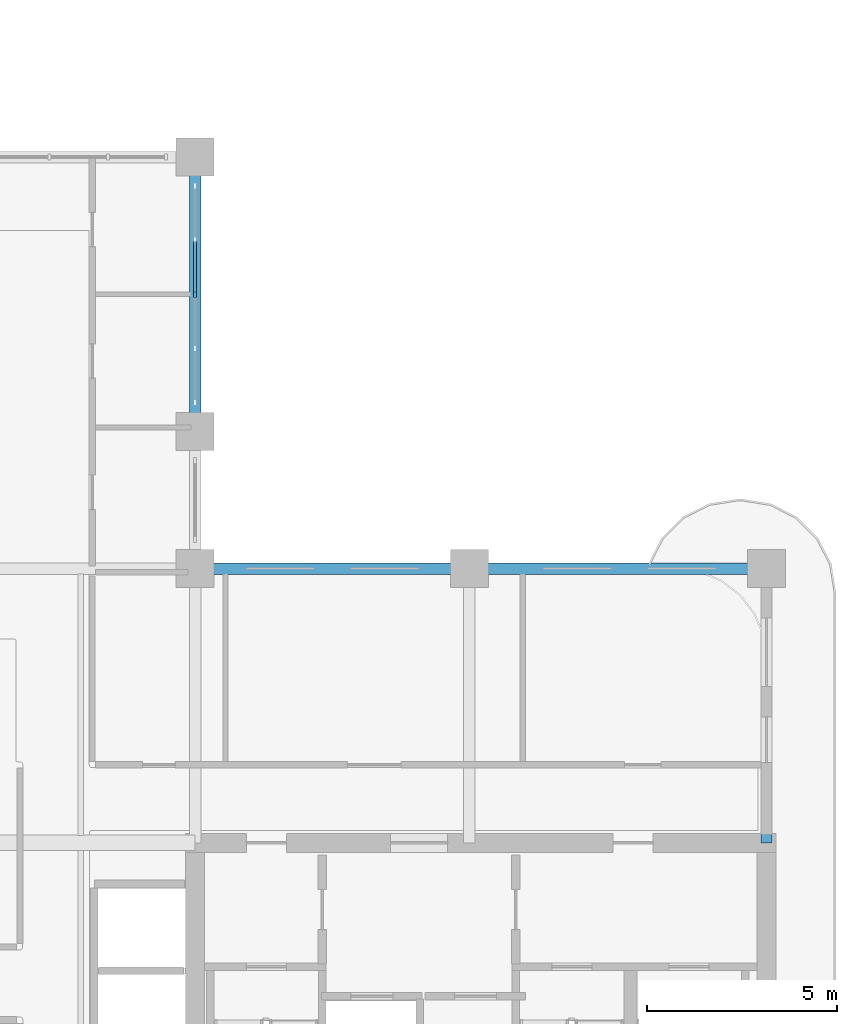
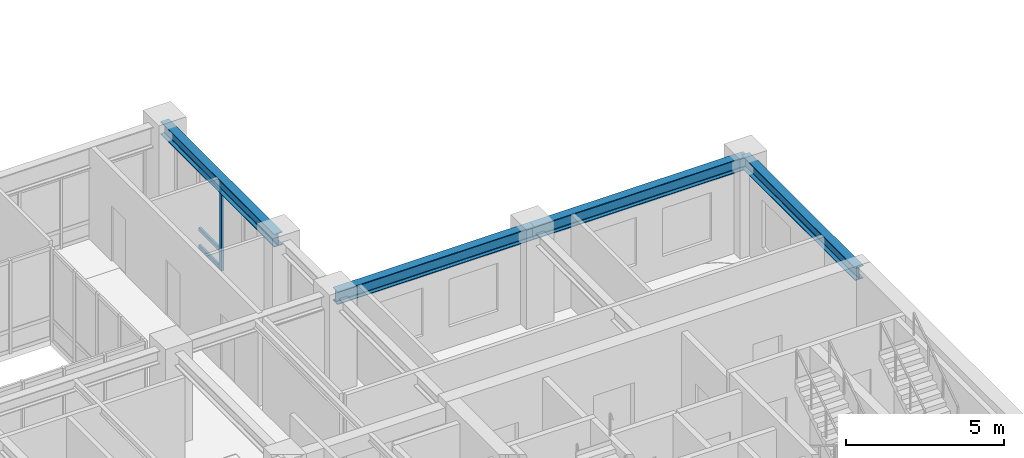
# One storey, part 4 of 20: 4 beams, 4 members, 1 element without a shape of its own.
"""IFC4 building model written with IfcOpenShell, lengths in metres."""

from ifc_helpers import new_model, si_unit, derived_unit, direction, frame, origin, origin_2d, place, context, subcontext, project, spatial, rectangle, i_section, extrude, source, transform, mapped, material, layer, layer_set, material_profile, profile_set, type_object, type_shapes, element, aggregate, save


model = new_model("IFC4")

# Units and contexts
model_context = context("Model", 3, precision=1e-05, world=origin(), true_north=direction((0.0, 1.0)))
body_context = subcontext(model_context, "Body", "Model", "MODEL_VIEW")
ifc_project = project(units=[si_unit("LENGTHUNIT", "METRE"), si_unit("AREAUNIT", "SQUARE_METRE"), si_unit("VOLUMEUNIT", "CUBIC_METRE"), si_unit("PLANEANGLEUNIT", "RADIAN"), si_unit("MASSUNIT", "GRAM", prefix="KILO"), si_unit("THERMODYNAMICTEMPERATUREUNIT", "KELVIN"), si_unit("POWERUNIT", "WATT"), derived_unit("THERMALTRANSMITTANCEUNIT", [(si_unit("POWERUNIT", "WATT"), 1), (si_unit("AREAUNIT", "SQUARE_METRE"), -1), (si_unit("THERMODYNAMICTEMPERATUREUNIT", "KELVIN"), -1)])], contexts=[model_context])

# Site, building, storey
site_placement = place(None, origin())
site = spatial("IfcSite", under=ifc_project, at=site_placement, CompositionType="ELEMENT")
building_placement = place(site_placement, origin())
building = spatial("IfcBuilding", under=site, at=building_placement, Name="Zahravan Archway Hotel and Residences", CompositionType="ELEMENT")
storey_placement = place(building_placement, frame((0.0, 0.0, 173.39990234375)))
storey = spatial("IfcBuildingStorey", under=building, at=storey_placement, Name="L43", CompositionType="ELEMENT", Elevation=173.39990234375)

# Beams
ifc_material_1 = material(Name="Structural Steel S355JR", Category="steel")
ifc_material_profile_1 = material_profile(ifc_material_1, i_section(OverallWidth=0.300048828125, OverallDepth=0.5, WebThickness=0.014404296875, FlangeThickness=0.028076171875, FilletRadius=0.027099609375, at=origin_2d()), Name="HEB 500", Category="steel")
ifc_profile_set_1 = profile_set([ifc_material_profile_1], Name="Structural Steel S355JR")
beam_type = type_object("IfcBeamType", Name="BM-PRI-HEB500", PredefinedType="BEAM", material=ifc_profile_set_1)
shared_shape_1 = source(origin(), body_context, "Body", "SweptSolid", [
    extrude(i_section(OverallWidth=0.300048828125, OverallDepth=0.5, WebThickness=0.014404296875, FlangeThickness=0.028076171875, FilletRadius=0.027099609375, at=origin_2d()), origin(), (0.0, 0.0, 1.0), 7.2001953125),
])
type_shapes(beam_type, [shared_shape_1])
beam_1_placement = place(storey_placement, frame((49.800048828125, 14.39990234375, 3.35009765625), z_axis=(0.0, 1.0, 0.0), x_axis=(-1.0, 0.0, 0.0)))
element("IfcBeam", 1, at=beam_1_placement, inside=storey, type_object=beam_type, Name="L43 Primary Girder NS-45", PredefinedType="BEAM", context=body_context, shape_type="MappedRepresentation", body=[
    mapped(shared_shape_1, transform((0.0, 0.0, 0.0), scale=1.0)),
])
shared_shape_2 = source(origin(), body_context, "Body", "SweptSolid", [
    extrude(i_section(OverallWidth=0.300048828125, OverallDepth=0.5, WebThickness=0.014404296875, FlangeThickness=0.028076171875, FilletRadius=0.027099609375, at=origin_2d()), origin(), (0.0, 0.0, 1.0), 7.199951171875),
])
for number, where, z_axis, x_axis, name in (
    (2, (34.800048828125, 21.60009765625, 3.35009765625), (1.0, 0.0, 0.0), (0.0, 1.0, 0.0), "L43 Primary Girder EW-14"),
    (3, (34.800048828125, 25.199951171875, 3.35009765625), (0.0, 1.0, 0.0), (-1.0, 0.0, 0.0), "L43 Primary Girder NS-43"),
):
    element("IfcBeam", number, at=place(storey_placement, frame(where, z_axis=z_axis, x_axis=x_axis)), inside=storey, type_object=beam_type, Name=name, PredefinedType="BEAM", context=body_context, shape_type="MappedRepresentation", body=[
        mapped(shared_shape_2, transform((0.0, 0.0, 0.0), scale=1.0)),
    ])
shared_shape_3 = source(origin(), body_context, "Body", "SweptSolid", [
    extrude(i_section(OverallWidth=0.300048828125, OverallDepth=0.5, WebThickness=0.014404296875, FlangeThickness=0.028076171875, FilletRadius=0.027099609375, at=origin_2d()), origin(), (0.0, 0.0, 1.0), 7.800048828125),
])
beam_2_placement = place(storey_placement, frame((42.0, 21.60009765625, 3.35009765625), z_axis=(1.0, 0.0, 0.0), x_axis=(0.0, 1.0, 0.0)))
element("IfcBeam", 4, at=beam_2_placement, inside=storey, type_object=beam_type, Name="L43 Primary Girder EW-15", PredefinedType="BEAM", context=body_context, shape_type="MappedRepresentation", body=[
    mapped(shared_shape_3, transform((0.0, 0.0, 0.0), scale=1.0)),
])

# Curtain wall, members
ifc_material_2 = material(Name="Bronze-Anodized Unitised Aluminium & Low-E Glass", Category="aluminium")
ifc_layer = layer(ifc_material_2, 0.179931640625, Name="Bronze-Anodized Unitised Aluminium & Low-E Glass", Category="aluminium")
ifc_layer_set = layer_set([ifc_layer], Name="Bronze-Anodized Unitised Aluminium & Low-E Glass")
curtain_wall_type = type_object("IfcCurtainWallType", Name="CW-ATR-GLAZ", PredefinedType="NOTDEFINED", material=ifc_layer_set)
curtain_wall_placement = place(storey_placement, origin())
curtain_wall = element("IfcCurtainWall", 5, at=curtain_wall_placement, inside=storey, type_object=curtain_wall_type, Name="L43 Curtain Wall CW-L43-HNG-E-2", PredefinedType="NOTDEFINED")
ifc_material_3 = material(Name="Bronze-Anodized Extruded Aluminium", Category="aluminium")
ifc_material_profile_2 = material_profile(ifc_material_3, rectangle(XDim=0.080078125, YDim=0.139892578125, at=origin_2d()), Name="TRN 80x140", Category="aluminium")
ifc_profile_set_2 = profile_set([ifc_material_profile_2], Name="Bronze-Anodized Extruded Aluminium")
member_type_1 = type_object("IfcMemberType", Name="CWM-TRN-140", PredefinedType="USERDEFINED", material=ifc_profile_set_2)
shared_shape_4 = source(origin(), body_context, "Body", "SweptSolid", [
    extrude(rectangle(XDim=0.080078125, YDim=0.139892578125, at=origin_2d()), origin(), (0.0, 0.0, 1.0), 1.33984375),
])
member_1_placement = place(storey_placement, frame((34.800048828125, 28.840087890625, 0.070068359375), z_axis=(0.0, 1.0, 0.0), x_axis=(-1.0, 0.0, 0.0)))
member_1 = element("IfcMember", 6, at=member_1_placement, type_object=member_type_1, Name="CW-L43-HNG-E-2 Transom 2-1", ObjectType="TRANSOM", PredefinedType="USERDEFINED", context=body_context, shape_type="MappedRepresentation", body=[
    mapped(shared_shape_4, transform((0.0, 0.0, 0.0), scale=1.0)),
])
member_2_placement = place(storey_placement, frame((34.800048828125, 28.840087890625, 0.740478515625), z_axis=(0.0, 1.0, 0.0), x_axis=(-1.0, 0.0, 0.0)))
member_2 = element("IfcMember", 7, at=member_2_placement, type_object=member_type_1, Name="CW-L43-HNG-E-2 Transom 2-2", ObjectType="TRANSOM", PredefinedType="USERDEFINED", context=body_context, shape_type="MappedRepresentation", body=[
    mapped(shared_shape_4, transform((0.0, 0.0, 0.0), scale=1.0)),
])
member_3_placement = place(storey_placement, frame((34.800048828125, 28.840087890625, 3.01513671875), z_axis=(0.0, 1.0, 0.0), x_axis=(-1.0, 0.0, 0.0)))
member_3 = element("IfcMember", 8, at=member_3_placement, type_object=member_type_1, Name="CW-L43-HNG-E-2 Transom 2-3", ObjectType="TRANSOM", PredefinedType="USERDEFINED", context=body_context, shape_type="MappedRepresentation", body=[
    mapped(shared_shape_4, transform((0.0, 0.0, 0.0), scale=1.0)),
])
ifc_material_profile_3 = material_profile(ifc_material_3, rectangle(XDim=0.080078125, YDim=0.159912109375, at=origin_2d()), Name="MUL 80x160", Category="aluminium")
ifc_profile_set_3 = profile_set([ifc_material_profile_3], Name="Bronze-Anodized Extruded Aluminium")
member_type_2 = type_object("IfcMemberType", Name="CWM-MUL-160", PredefinedType="MULLION", material=ifc_profile_set_3)
shared_shape_5 = source(origin(), body_context, "Body", "SweptSolid", [
    extrude(rectangle(XDim=0.080078125, YDim=0.159912109375, at=origin_2d()), origin(), (0.0, 0.0, 1.0), 3.085205078125),
])
member_4_placement = place(storey_placement, frame((34.800048828125, 28.800048828125, 0.0), z_axis=(0.0, 0.0, 1.0), x_axis=(1.0, 0.0, 0.0)))
member_4 = element("IfcMember", 9, at=member_4_placement, type_object=member_type_2, Name="CW-L43-HNG-E-2 Mullion 2", PredefinedType="MULLION", context=body_context, shape_type="MappedRepresentation", body=[
    mapped(shared_shape_5, transform((0.0, 0.0, 0.0), scale=1.0)),
])
aggregate(curtain_wall, [member_4, member_1, member_2, member_3])

save(model, "model.ifc")
